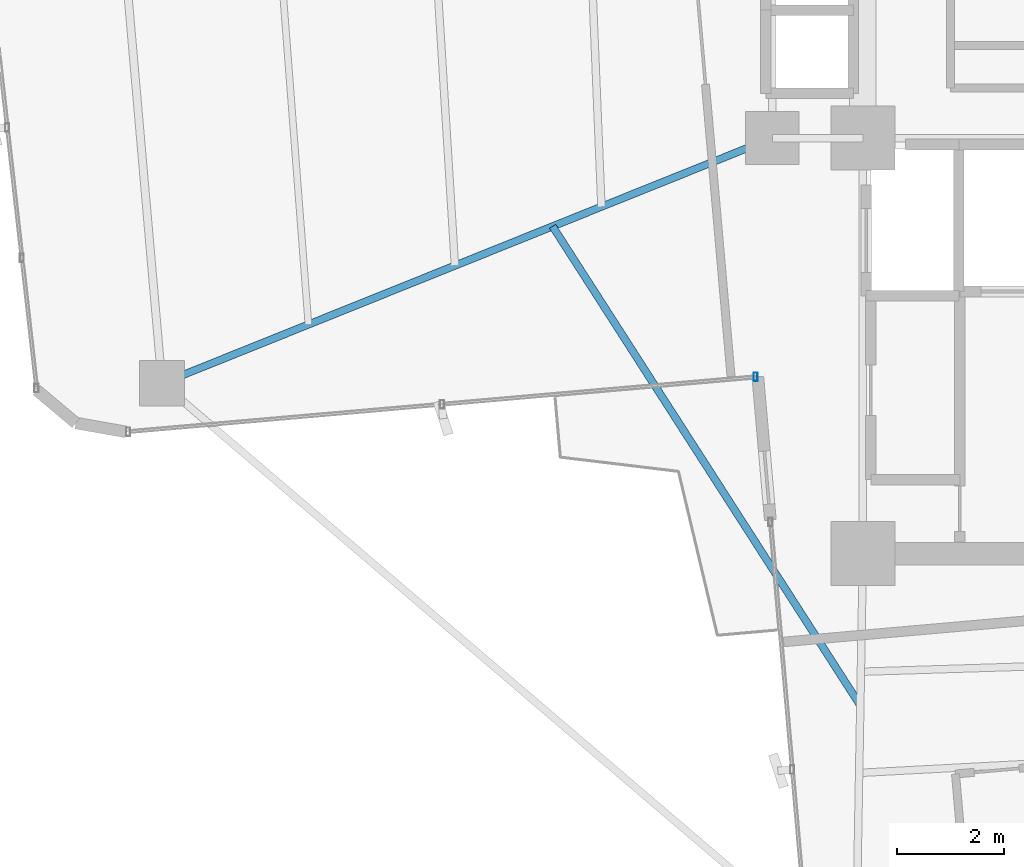
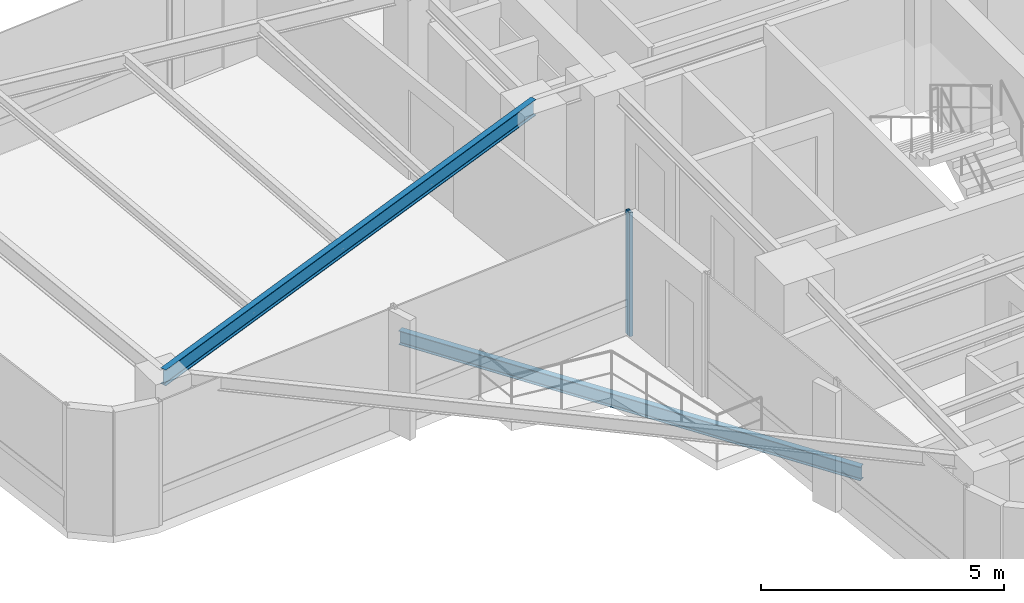
# One storey, part 5 of 24: 2 beams, 1 member, 1 element without a shape of its own.
"""IFC4 building model written with IfcOpenShell, lengths in metres."""

from ifc_helpers import new_model, si_unit, direction, frame, origin, origin_2d, place, context, subcontext, project, spatial, hollow_rectangle, i_section, extrude, source, transform, mapped, material, material_profile, profile_set, type_object, element, aggregate, save


model = new_model("IFC4")

# Units and contexts
model_context = context("Model", 3, precision=1e-05, world=origin(), true_north=direction((0.0, 1.0)))
body_context = subcontext(model_context, "Body", "Model", "MODEL_VIEW")
ifc_project = project(units=[si_unit("LENGTHUNIT", "METRE"), si_unit("AREAUNIT", "SQUARE_METRE"), si_unit("VOLUMEUNIT", "CUBIC_METRE"), si_unit("PLANEANGLEUNIT", "RADIAN"), si_unit("MASSUNIT", "GRAM", prefix="KILO")], contexts=[model_context])

# Site, building, storey
site_placement = place(None, origin())
site = spatial("IfcSite", under=ifc_project, at=site_placement, CompositionType="ELEMENT")
building_placement = place(site_placement, origin())
building = spatial("IfcBuilding", under=site, at=building_placement, Name="Sahyath Konkavel Grand Hotel", CompositionType="ELEMENT")
storey_placement = place(building_placement, frame((0.0, 0.0, 188.60009765625)))
storey = spatial("IfcBuildingStorey", under=building, at=storey_placement, Name="L52", CompositionType="ELEMENT", Elevation=188.60009765625)

# Beam
ifc_material_1 = material(Name="Steel E350", Category="steel")
ifc_material_profile_1 = material_profile(ifc_material_1, i_section(OverallWidth=0.139892578125, OverallDepth=0.39990234375, WebThickness=0.0087890625, FlangeThickness=0.01611328125, FilletRadius=0.013916015625, at=origin_2d()), Name="ISMB 400")
ifc_profile_set_1 = profile_set([ifc_material_profile_1], Name="Steel E350")
beam_type_1 = type_object("IfcBeamType", Name="BM-ISMB400", PredefinedType="BEAM", material=ifc_profile_set_1)
shared_shape_1 = source(origin(), body_context, "Body", "SweptSolid", [
    extrude(i_section(OverallWidth=0.139892578125, OverallDepth=0.39990234375, WebThickness=0.0087890625, FlangeThickness=0.01611328125, FilletRadius=0.013916015625, at=origin_2d()), origin(), (0.0, 0.0, 1.0), 12.344970703125),
])
beam_1_placement = place(storey_placement, frame((-5.5, -2.39990234375, 2.909912109375), z_axis=(-0.927837014101, -0.372985891507, 0.0), x_axis=(0.372985891507, -0.927837014101, 0.0)))
element("IfcBeam", 1, at=beam_1_placement, inside=storey, type_object=beam_type_1, Name="L52 Cruciform Radial Girder WB", PredefinedType="BEAM", context=body_context, shape_type="MappedRepresentation", body=[
    mapped(shared_shape_1, transform((0.0, 0.0, 0.0), scale=1.0)),
])

# Curtain wall, member
ifc_material_2 = material(Name="Anodised Bronze Aluminium & Low-E Glazing", Category="aluminium")
curtain_wall_type = type_object("IfcCurtainWallType", Name="CW-ZONE3", PredefinedType="NOTDEFINED", material=ifc_material_2)
curtain_wall_placement = place(storey_placement, origin())
curtain_wall = element("IfcCurtainWall", 2, at=curtain_wall_placement, inside=storey, type_object=curtain_wall_type, Name="L52 Unitised Curtain Wall F23", PredefinedType="NOTDEFINED")
ifc_material_3 = material(Name="Anodised Bronze Aluminium", Category="aluminium")
ifc_material_profile_2 = material_profile(ifc_material_3, hollow_rectangle(XDim=0.080078125, YDim=0.159912109375, WallThickness=0.006103515625, at=origin_2d()), Name="RHS 160x80x6")
ifc_profile_set_2 = profile_set([ifc_material_profile_2], Name="Anodised Bronze Aluminium")
member_type = type_object("IfcMemberType", Name="CW-MUL-160", PredefinedType="MULLION", material=ifc_profile_set_2)
shared_shape_2 = source(origin(), body_context, "Body", "SweptSolid", [
    extrude(hollow_rectangle(XDim=0.080078125, YDim=0.159912109375, WallThickness=0.006103515625, at=origin_2d()), origin(), (0.0, 0.0, 1.0), 3.10986328125),
])
member_placement = place(storey_placement, frame((-5.812255859375, -6.8828125, 0.0), z_axis=(0.0, 0.0, 1.0), x_axis=(1.0, 0.0, 0.0)))
member = element("IfcMember", 3, at=member_placement, type_object=member_type, Name="L52 Curtain Wall Mullion F23-2", PredefinedType="MULLION", context=body_context, shape_type="MappedRepresentation", body=[
    mapped(shared_shape_2, transform((0.0, 0.0, 0.0), scale=1.0)),
])
aggregate(curtain_wall, [member])

# Beam
ifc_material_profile_3 = material_profile(ifc_material_1, i_section(OverallWidth=0.139892578125, OverallDepth=0.35009765625, WebThickness=0.008056640625, FlangeThickness=0.01416015625, FilletRadius=0.013916015625, at=origin_2d()), Name="ISMB 350")
ifc_profile_set_3 = profile_set([ifc_material_profile_3], Name="Steel E350")
beam_type_2 = type_object("IfcBeamType", Name="BM-BALC-CANT", PredefinedType="BEAM", material=ifc_profile_set_3)
shared_shape_3 = source(origin(), body_context, "Body", "SweptSolid", [
    extrude(i_section(OverallWidth=0.139892578125, OverallDepth=0.35009765625, WebThickness=0.008056640625, FlangeThickness=0.01416015625, FilletRadius=0.013916015625, at=origin_2d()), origin(), (0.0, 0.0, 1.0), 10.685302734375),
])
beam_2_placement = place(storey_placement, frame((-9.62353515625, -4.0576171875, -0.4150390625), z_axis=(0.540404181048, -0.841405562797, 0.0), x_axis=(0.841405562797, 0.540404181048, 0.0)))
element("IfcBeam", 4, at=beam_2_placement, inside=storey, type_object=beam_type_2, Name="L52 Balcony Cantilever Support Beam SW", PredefinedType="BEAM", context=body_context, shape_type="MappedRepresentation", body=[
    mapped(shared_shape_3, transform((0.0, 0.0, 0.0), scale=1.0)),
])

save(model, "model.ifc")
